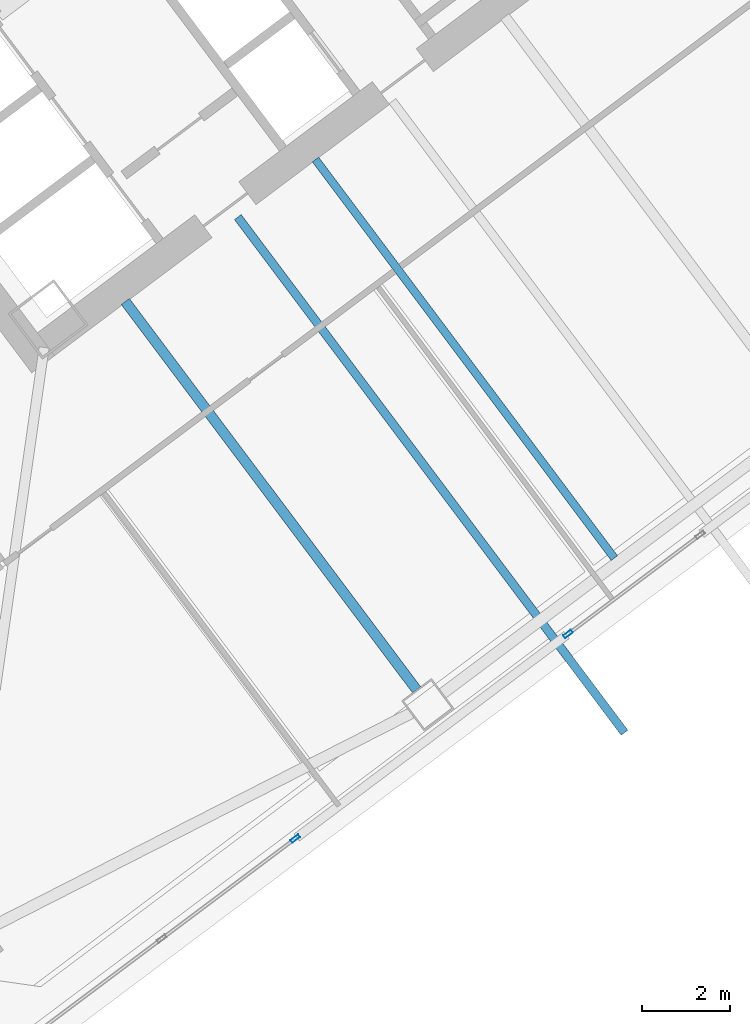
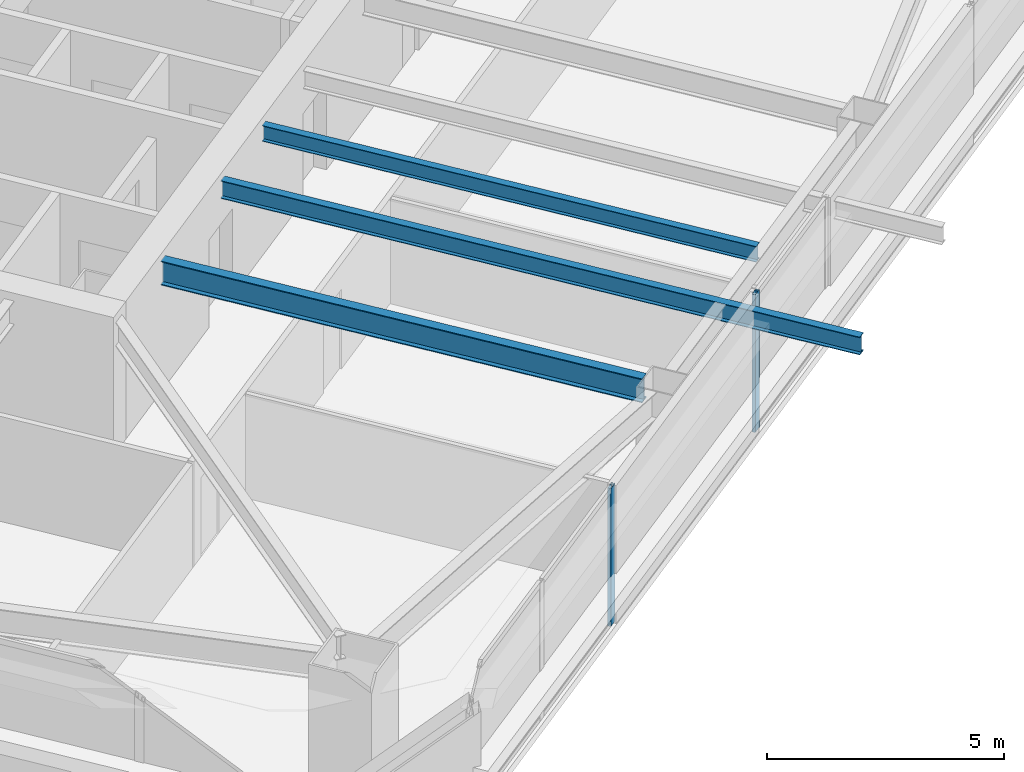
# One storey, part 22 of 44: 3 beams, 2 members, 2 elements without a shape of their own.
"""IFC4 building model written with IfcOpenShell, lengths in metres."""

from ifc_helpers import new_model, si_unit, direction, frame, origin, origin_2d, place, context, subcontext, project, spatial, hollow_rectangle, i_section, extrude, material, material_profile, profile_set, type_object, element, aggregate, save


model = new_model("IFC4")

# Units and contexts
model_context = context("Model", 3, precision=1e-05, world=origin(), true_north=direction((0.0, 1.0)))
body_context = subcontext(model_context, "Body", "Model", "MODEL_VIEW")
ifc_project = project(units=[si_unit("LENGTHUNIT", "METRE"), si_unit("AREAUNIT", "SQUARE_METRE"), si_unit("VOLUMEUNIT", "CUBIC_METRE"), si_unit("PLANEANGLEUNIT", "RADIAN"), si_unit("MASSUNIT", "GRAM", prefix="KILO")], contexts=[model_context])

# Site, building, storey
site_placement = place(None, origin())
site = spatial("IfcSite", under=ifc_project, at=site_placement, CompositionType="ELEMENT")
building_placement = place(site_placement, origin())
building = spatial("IfcBuilding", under=site, at=building_placement, Name="Tashvorn Skyway Center", CompositionType="ELEMENT")
storey_placement = place(building_placement, frame((0.0, 0.0, 95.60009765625)))
storey = spatial("IfcBuildingStorey", under=building, at=storey_placement, Name="L25", CompositionType="ELEMENT", Elevation=95.60009765625)

# Beams
ifc_material_1 = material(Name="Steel ASTM A992 Grade 50", Category="steel")
ifc_material_profile_1 = material_profile(ifc_material_1, i_section(OverallWidth=0.22998046875, OverallDepth=0.616943359375, WebThickness=0.01318359375, FlangeThickness=0.022216796875, at=origin_2d()), Name="W24X94")
ifc_profile_set_1 = profile_set([ifc_material_profile_1], Name="Steel ASTM A992 Grade 50")
beam_type_1 = type_object("IfcBeamType", Name="BM-BEAM-W24X94", PredefinedType="BEAM", material=ifc_profile_set_1)
beam_1_placement = place(storey_placement, frame((120.97802734375, 13.696044921875, 3.04150390625), z_axis=(-0.60001414024, 0.799989394625, 0.0), x_axis=(-0.799989394625, -0.60001414024, 0.0)))
element("IfcBeam", 1, at=beam_1_placement, inside=storey, type_object=beam_type_1, Name="Tower 2 L25 Primary Floor Girder FC-S1", PredefinedType="BEAM", context=body_context, shape_type="SweptSolid", body=[
    extrude(i_section(OverallWidth=0.22998046875, OverallDepth=0.616943359375, WebThickness=0.01318359375, FlangeThickness=0.022216796875, at=origin_2d()), origin(), (0.0, 0.0, 1.0), 11.050048828125),
])
ifc_material_profile_2 = material_profile(ifc_material_1, i_section(OverallWidth=0.177978515625, OverallDepth=0.406005859375, WebThickness=0.0078125, FlangeThickness=0.0126953125, at=origin_2d()), Name="W16X40")
ifc_profile_set_2 = profile_set([ifc_material_profile_2], Name="Steel ASTM A992 Grade 50")
beam_type_2 = type_object("IfcBeamType", Name="BM-JOIST-W16X40", PredefinedType="JOIST", material=ifc_profile_set_2)
beam_2_placement = place(storey_placement, frame((118.674072265625, 25.76806640625, 3.14697265625), z_axis=(0.599996555327, -0.800002583493, 0.0), x_axis=(0.800002583493, 0.599996555327, 0.0)))
element("IfcBeam", 2, at=beam_2_placement, inside=storey, type_object=beam_type_2, Name="Tower 2 L25 Secondary Composite Joist JS", PredefinedType="JOIST", context=body_context, shape_type="SweptSolid", body=[
    extrude(i_section(OverallWidth=0.177978515625, OverallDepth=0.406005859375, WebThickness=0.0078125, FlangeThickness=0.0126953125, at=origin_2d()), origin(), (0.0, 0.0, 1.0), 11.340087890625),
])
ifc_material_profile_3 = material_profile(ifc_material_1, i_section(OverallWidth=0.19091796875, OverallDepth=0.4599609375, WebThickness=0.010009765625, FlangeThickness=0.01611328125, at=origin_2d()), Name="W18X55")
ifc_profile_set_3 = profile_set([ifc_material_profile_3], Name="Steel ASTM A992 Grade 50")
beam_type_3 = type_object("IfcBeamType", Name="BM-JOIST-W18X55", PredefinedType="JOIST", material=ifc_profile_set_3)
beam_3_placement = place(storey_placement, frame((116.907958984375, 24.4560546875, 3.119873046875), z_axis=(0.599997337262, -0.800001997047, 0.0), x_axis=(0.800001997047, 0.599997337262, 0.0)))
element("IfcBeam", 3, at=beam_3_placement, inside=storey, type_object=beam_type_3, Name="Tower 2 L26 Terrace Cantilever Outlooker 1", PredefinedType="JOIST", context=body_context, shape_type="SweptSolid", body=[
    extrude(i_section(OverallWidth=0.19091796875, OverallDepth=0.4599609375, WebThickness=0.010009765625, FlangeThickness=0.01611328125, at=origin_2d()), origin(), (0.0, 0.0, 1.0), 14.670166015625),
])

# Curtain wall, member
ifc_material_2 = material(Name="Thermally broken bronze-anodized aluminium 6063-T6", Category="aluminium")
curtain_wall_type = type_object("IfcCurtainWallType", Name="CW-CW-Z2", PredefinedType="NOTDEFINED", material=ifc_material_2)
curtain_wall_1_placement = place(storey_placement, origin())
curtain_wall_1 = element("IfcCurtainWall", 4, at=curtain_wall_1_placement, inside=storey, type_object=curtain_wall_type, Name="Tower 2 L25 South Unitised Curtain Wall Glazing Group 2", PredefinedType="NOTDEFINED")
ifc_material_profile_4 = material_profile(ifc_material_2, hollow_rectangle(XDim=0.080078125, YDim=0.219970703125, WallThickness=0.0048828125, at=origin_2d()), Name="ALU-MULL-80x220")
ifc_profile_set_4 = profile_set([ifc_material_profile_4], Name="Thermally broken bronze-anodized aluminium 6063-T6")
member_type = type_object("IfcMemberType", Name="CWM-CW-Z2", PredefinedType="MULLION", material=ifc_profile_set_4)
member_1_placement = place(storey_placement, frame((124.424072265625, 14.968017578125, 0.0), z_axis=(0.0, 0.0, 1.0), x_axis=(0.600000000002, -0.799999999998, 0.0)))
member_1 = element("IfcMember", 5, at=member_1_placement, type_object=member_type, Name="CW-Z2 mullion 2", PredefinedType="MULLION", context=body_context, shape_type="SweptSolid", body=[
    extrude(hollow_rectangle(XDim=0.080078125, YDim=0.219970703125, WallThickness=0.0048828125, at=origin_2d()), origin(), (0.0, 0.0, 1.0), 3.5498046875),
])
aggregate(curtain_wall_1, [member_1])

curtain_wall_2_placement = place(storey_placement, origin())
curtain_wall_2 = element("IfcCurtainWall", 6, at=curtain_wall_2_placement, inside=storey, type_object=curtain_wall_type, Name="Tower 2 L25 South Unitised Curtain Wall Glazing Group 3", PredefinedType="NOTDEFINED")
member_2_placement = place(storey_placement, frame((118.216064453125, 10.31201171875, 0.0), z_axis=(0.0, 0.0, 1.0), x_axis=(0.600000000002, -0.799999999998, 0.0)))
member_2 = element("IfcMember", 7, at=member_2_placement, type_object=member_type, Name="CW-Z2 mullion 1", PredefinedType="MULLION", context=body_context, shape_type="SweptSolid", body=[
    extrude(hollow_rectangle(XDim=0.080078125, YDim=0.219970703125, WallThickness=0.0048828125, at=origin_2d()), origin(), (0.0, 0.0, 1.0), 3.5498046875),
])
aggregate(curtain_wall_2, [member_2])

save(model, "model.ifc")
